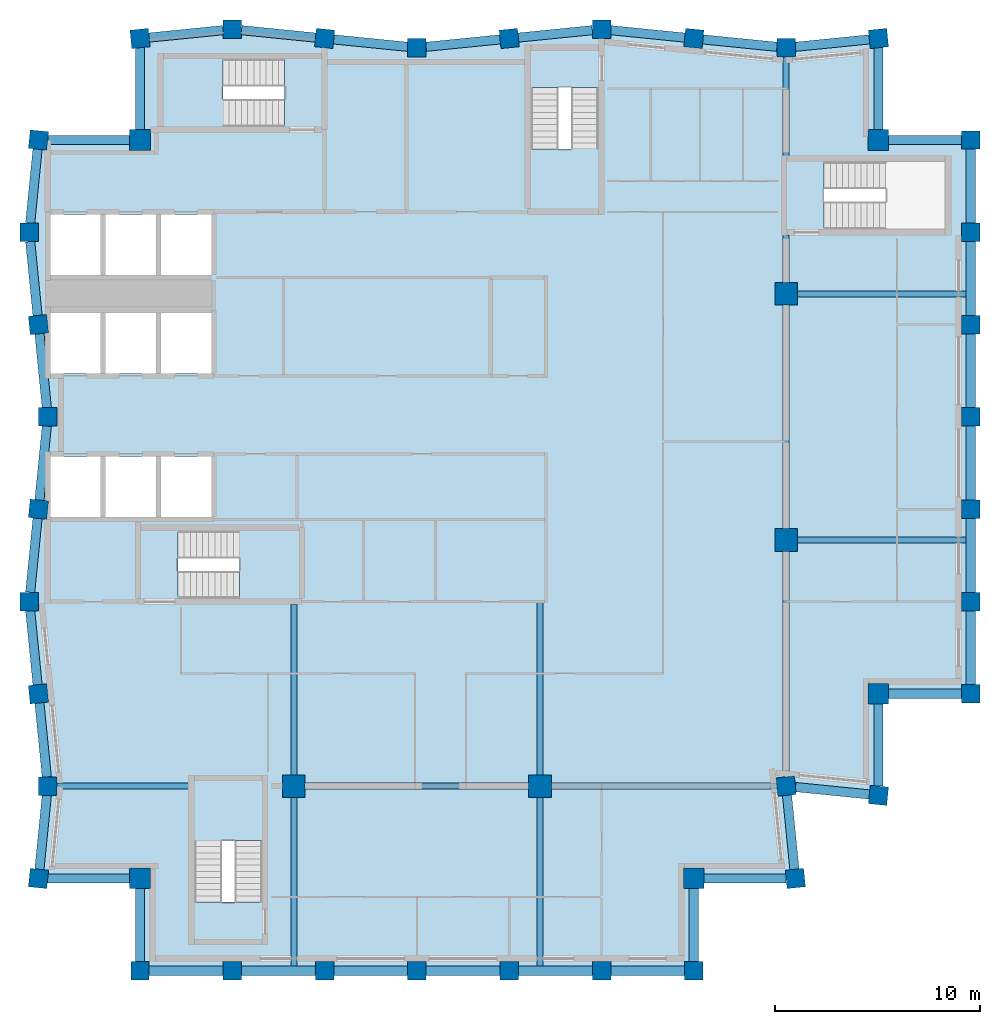
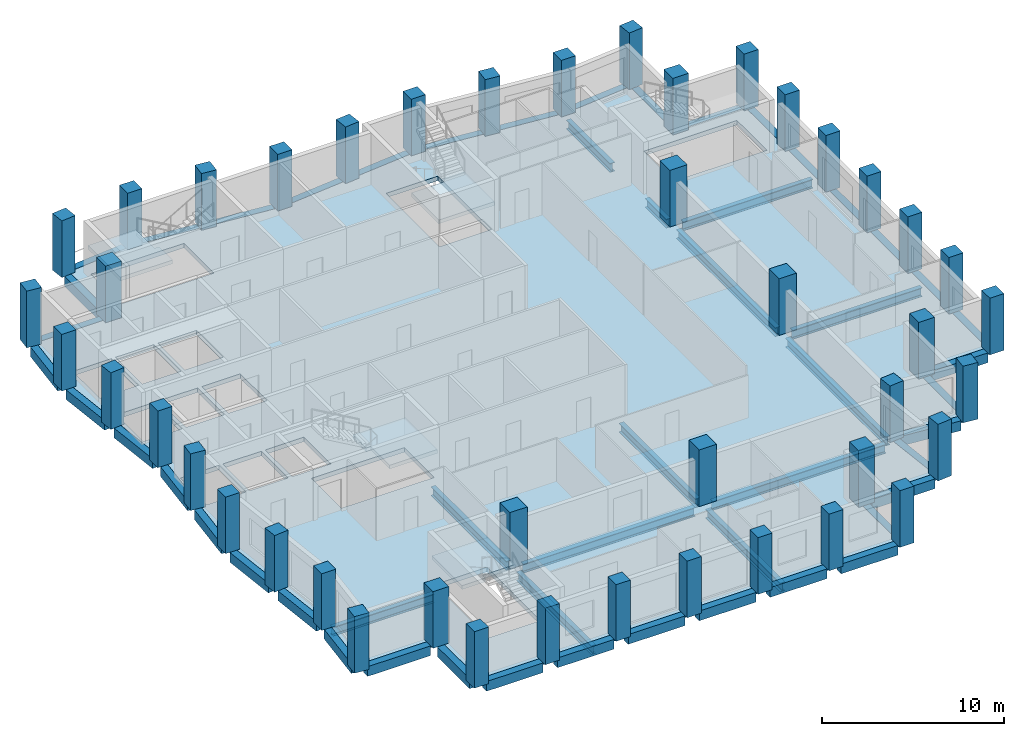
# One storey, part 1 of 7: 53 beams, 44 columns, 5 slabs, 4 elements without a shape of their own.
"""IFC4 building model written with IfcOpenShell, lengths in metres."""

from ifc_helpers import new_model, si_unit, direction, frame, origin, origin_2d, place, context, subcontext, project, spatial, polyline, rectangle, i_section, outline, extrude, material, layer, layer_set, material_profile, profile_set, type_object, element, aggregate, save


model = new_model("IFC4")

# Units and contexts
model_context = context("Model", 3, precision=1e-05, world=origin(), true_north=direction((0.0, 1.0)))
body_context = subcontext(model_context, "Body", "Model", "MODEL_VIEW")
ifc_project = project(units=[si_unit("LENGTHUNIT", "METRE"), si_unit("AREAUNIT", "SQUARE_METRE"), si_unit("VOLUMEUNIT", "CUBIC_METRE"), si_unit("PLANEANGLEUNIT", "RADIAN"), si_unit("MASSUNIT", "GRAM", prefix="KILO")], contexts=[model_context])

# Site, building, storey
site_placement = place(None, origin())
site = spatial("IfcSite", under=ifc_project, at=site_placement, CompositionType="ELEMENT")
building_placement = place(site_placement, origin())
building = spatial("IfcBuilding", under=site, at=building_placement, Name="Brondeck Convention Tower", CompositionType="ELEMENT")
storey_placement = place(building_placement, frame((0.0, 0.0, 271.39990234375)))
storey = spatial("IfcBuildingStorey", under=building, at=storey_placement, Name="L67", CompositionType="ELEMENT", Elevation=271.39990234375)

# Columns
ifc_material_1 = material(Name="Concrete C50/60", Category="concrete")
ifc_material_profile_1 = material_profile(ifc_material_1, rectangle(XDim=1.0, YDim=1.0, at=origin_2d()), Name="Corner column 1000x1000 Concrete C50/60")
ifc_profile_set_1 = profile_set([ifc_material_profile_1], Name="Concrete C50/60")
column_type_1 = type_object("IfcColumnType", Name="Corner column 1000x1000 Concrete C50/60", PredefinedType="COLUMN", material=ifc_profile_set_1)
for number, where, z_axis, x_axis, name in (
    (1, (4.5, 22.5, 0.0), (0.0, 0.0, 1.0), (1.0, 0.0, 0.0), "STR-COL-L67-NC-SWB18"),
    (2, (31.5, 22.5, 0.0), (0.0, 0.0, 1.0), (1.0, 0.0, 0.0), "STR-COL-L67-NC-SEB18"),
    (3, (40.5, 31.5, 0.0), (0.0, 0.0, 1.0), (1.0, 0.0, 0.0), "STR-COL-L67-NC-SEA45"),
    (4, (40.5, 58.5, 0.0), (0.0, 0.0, 1.0), (1.0, 0.0, 0.0), "STR-COL-L67-NC-NEA45"),
    (5, (4.5, 58.5, 0.0), (0.0, 0.0, 1.0), (1.0, 0.0, 0.0), "STR-COL-L67-NC-NW"),
):
    element("IfcColumn", number, at=place(storey_placement, frame(where, z_axis=z_axis, x_axis=x_axis)), inside=storey, type_object=column_type_1, Name=name, PredefinedType="COLUMN", context=body_context, shape_type="SweptSolid", body=[
        extrude(rectangle(XDim=1.0, YDim=1.0, at=origin_2d()), origin(), (0.0, 0.0, 1.0), 3.800048828125),
    ])
ifc_material_profile_2 = material_profile(ifc_material_1, rectangle(XDim=1.10009765625, YDim=1.10009765625, at=origin_2d()), Name="Interior column 1100x1100 Concrete C50/60")
ifc_profile_set_2 = profile_set([ifc_material_profile_2], Name="Concrete C50/60")
column_type_2 = type_object("IfcColumnType", Name="Interior column 1100x1100 Concrete C50/60", PredefinedType="COLUMN", material=ifc_profile_set_2)
for number, where, z_axis, x_axis, name in (
    (6, (12.0, 27.0, 0.0), (0.0, 0.0, 1.0), (1.0, 0.0, 0.0), "STR-COL-L67-IC-03"),
    (7, (24.0, 27.0, 0.0), (0.0, 0.0, 1.0), (1.0, 0.0, 0.0), "STR-COL-L67-IC-06"),
    (8, (36.0, 39.0, 0.0), (0.0, 0.0, 1.0), (1.0, 0.0, 0.0), "STR-COL-L67-IC-07"),
    (9, (36.0, 51.0, 0.0), (0.0, 0.0, 1.0), (1.0, 0.0, 0.0), "STR-COL-L67-IC-08"),
):
    element("IfcColumn", number, at=place(storey_placement, frame(where, z_axis=z_axis, x_axis=x_axis)), inside=storey, type_object=column_type_2, Name=name, PredefinedType="COLUMN", context=body_context, shape_type="SweptSolid", body=[
        extrude(rectangle(XDim=1.10009765625, YDim=1.10009765625, at=origin_2d()), origin(), (0.0, 0.0, 1.0), 3.800048828125),
    ])
ifc_material_profile_3 = material_profile(ifc_material_1, rectangle(XDim=0.89990234375, YDim=0.89990234375, at=origin_2d()), Name="Perimeter pier 900x900 Concrete C50/60")
ifc_profile_set_3 = profile_set([ifc_material_profile_3], Name="Concrete C50/60")
column_type_3 = type_object("IfcColumnType", Name="Perimeter pier 900x900 Concrete C50/60", PredefinedType="COLUMN", material=ifc_profile_set_3)
for number, where, z_axis, x_axis, name in (
    (10, (4.5, 18.0, 0.0), (0.0, 0.0, 1.0), (1.0, 0.0, 0.0), "STR-COL-L67-PC-B-S18-01"),
    (11, (9.0, 18.0, 0.0), (0.0, 0.0, 1.0), (1.0, 0.0, 0.0), "STR-COL-L67-PC-B-S18-02"),
    (12, (13.5, 18.0, 0.0), (0.0, 0.0, 1.0), (1.0, 0.0, 0.0), "STR-COL-L67-PC-B-S18-03"),
    (13, (18.0, 18.0, 0.0), (0.0, 0.0, 1.0), (1.0, 0.0, 0.0), "STR-COL-L67-PC-B-S18-04"),
    (14, (22.5, 18.0, 0.0), (0.0, 0.0, 1.0), (1.0, 0.0, 0.0), "STR-COL-L67-PC-B-S18-05"),
    (15, (27.0, 18.0, 0.0), (0.0, 0.0, 1.0), (1.0, 0.0, 0.0), "STR-COL-L67-PC-B-S18-06"),
    (16, (31.5, 18.0, 0.0), (0.0, 0.0, 1.0), (1.0, 0.0, 0.0), "STR-COL-L67-PC-B-S18-07"),
    (17, (36.449951171875, 22.5, 0.0), (0.0, 0.0, 1.0), (-0.0995038382, 0.995037178292, 0.0), "STR-COL-L67-PC-B-E-01"),
    (18, (36.0, 27.0, 0.0), (0.0, 0.0, 1.0), (-0.0995038382, 0.995037178292, 0.0), "STR-COL-L67-PC-B-E-00"),
    (19, (40.5, 26.550048828125, 0.0), (0.0, 0.0, 1.0), (0.995037178292, -0.0995038382, 0.0), "STR-COL-L67-PC-A-S-01"),
    (20, (45.0, 31.5, 0.0), (0.0, 0.0, 1.0), (0.0, 1.0, 0.0), "STR-COL-L67-PC-A-E45-01"),
    (21, (45.0, 36.0, 0.0), (0.0, 0.0, 1.0), (0.0, 1.0, 0.0), "STR-COL-L67-PC-A-E45-02"),
    (22, (45.0, 40.5, 0.0), (0.0, 0.0, 1.0), (0.0, 1.0, 0.0), "STR-COL-L67-PC-A-E45-03"),
    (23, (45.0, 45.0, 0.0), (0.0, 0.0, 1.0), (0.0, 1.0, 0.0), "STR-COL-L67-PC-A-E45-04"),
    (24, (45.0, 49.5, 0.0), (0.0, 0.0, 1.0), (0.0, 1.0, 0.0), "STR-COL-L67-PC-A-E45-05"),
    (25, (45.0, 54.0, 0.0), (0.0, 0.0, 1.0), (0.0, 1.0, 0.0), "STR-COL-L67-PC-A-E45-06"),
    (26, (45.0, 58.5, 0.0), (0.0, 0.0, 1.0), (0.0, 1.0, 0.0), "STR-COL-L67-PC-A-E45-07"),
    (27, (40.5, 63.449951171875, 0.0), (0.0, 0.0, 1.0), (-0.995037178292, -0.0995038382, 0.0), "STR-COL-L67-PC-A-N-09"),
    (28, (36.0, 63.0, 0.0), (0.0, 0.0, 1.0), (-1.0, 0.0, 0.0), "STR-COL-L67-PC-A-N-08"),
    (29, (31.5, 63.449951171875, 0.0), (0.0, 0.0, 1.0), (-0.995037178292, 0.0995038382, 0.0), "STR-COL-L67-PC-A-N-07"),
    (30, (27.0, 63.89990234375, 0.0), (0.0, 0.0, 1.0), (-1.0, 0.0, 0.0), "STR-COL-L67-PC-A-N-06"),
    (31, (22.5, 63.449951171875, 0.0), (0.0, 0.0, 1.0), (-0.995037178292, -0.0995038382, 0.0), "STR-COL-L67-PC-A-N-05"),
    (32, (18.0, 63.0, 0.0), (0.0, 0.0, 1.0), (-1.0, 0.0, 0.0), "STR-COL-L67-PC-A-N-04"),
    (33, (13.5, 63.449951171875, 0.0), (0.0, 0.0, 1.0), (-0.995037178292, 0.0995038382, 0.0), "STR-COL-L67-PC-A-N-03"),
    (34, (9.0, 63.89990234375, 0.0), (0.0, 0.0, 1.0), (-1.0, 0.0, 0.0), "STR-COL-L67-PC-A-N-02"),
    (35, (4.5, 63.449951171875, 0.0), (0.0, 0.0, 1.0), (-0.995037178292, -0.0995038382, 0.0), "STR-COL-L67-PC-A-N-01"),
    (36, (-0.449951171875, 58.5, 0.0), (0.0, 0.0, 1.0), (-0.0995038382, -0.995037178292, 0.0), "STR-COL-L67-PC-B-W-01"),
    (37, (-0.89990234375, 54.0, 0.0), (0.0, 0.0, 1.0), (0.0, -1.0, 0.0), "STR-COL-L67-PC-B-W-02"),
    (38, (-0.449951171875, 49.5, 0.0), (0.0, 0.0, 1.0), (0.0995038382, -0.995037178292, 0.0), "STR-COL-L67-PC-B-W-03"),
    (39, (0.0, 45.0, 0.0), (0.0, 0.0, 1.0), (0.0, -1.0, 0.0), "STR-COL-L67-PC-B-W-04"),
    (40, (-0.449951171875, 40.5, 0.0), (0.0, 0.0, 1.0), (-0.0995038382, -0.995037178292, 0.0), "STR-COL-L67-PC-B-W-05"),
    (41, (-0.89990234375, 36.0, 0.0), (0.0, 0.0, 1.0), (0.0, -1.0, 0.0), "STR-COL-L67-PC-B-W-06"),
    (42, (-0.449951171875, 31.5, 0.0), (0.0, 0.0, 1.0), (0.0995038382, -0.995037178292, 0.0), "STR-COL-L67-PC-B-W-07"),
    (43, (0.0, 27.0, 0.0), (0.0, 0.0, 1.0), (0.0, -1.0, 0.0), "STR-COL-L67-PC-B-W-08"),
    (44, (-0.449951171875, 22.5, 0.0), (0.0, 0.0, 1.0), (-0.0995038382, -0.995037178292, 0.0), "STR-COL-L67-PC-B-W-09"),
):
    element("IfcColumn", number, at=place(storey_placement, frame(where, z_axis=z_axis, x_axis=x_axis)), inside=storey, type_object=column_type_3, Name=name, PredefinedType="COLUMN", context=body_context, shape_type="SweptSolid", body=[
        extrude(rectangle(XDim=0.89990234375, YDim=0.89990234375, at=origin_2d()), origin(), (0.0, 0.0, 1.0), 3.800048828125),
    ])

# Beams
ifc_material_2 = material(Name="Steel S355", Category="steel")
ifc_material_profile_4 = material_profile(ifc_material_2, i_section(OverallWidth=0.300048828125, OverallDepth=0.60009765625, WebThickness=0.015380859375, FlangeThickness=0.030029296875, FilletRadius=0.027099609375, at=origin_2d()), Name="HEB 600")
ifc_profile_set_4 = profile_set([ifc_material_profile_4], Name="Steel S355")
beam_type_1 = type_object("IfcBeamType", Name="Girder HEB 600", PredefinedType="BEAM", material=ifc_profile_set_4)
for number, where, z_axis, x_axis, name in (
    (45, (36.550048828125, 39.0, -0.599853515625), (1.0, 0.0, 0.0), (0.0, 1.0, 0.0), "STR-GR-L67-001"),
    (46, (36.550048828125, 51.0, -0.599853515625), (1.0, 0.0, 0.0), (0.0, 1.0, 0.0), "STR-GR-L67-002"),
):
    element("IfcBeam", number, at=place(storey_placement, frame(where, z_axis=z_axis, x_axis=x_axis)), inside=storey, type_object=beam_type_1, Name=name, PredefinedType="BEAM", context=body_context, shape_type="SweptSolid", body=[
        extrude(i_section(OverallWidth=0.300048828125, OverallDepth=0.60009765625, WebThickness=0.015380859375, FlangeThickness=0.030029296875, FilletRadius=0.027099609375, at=origin_2d()), origin(), (0.0, 0.0, 1.0), 8.224853515625),
    ])
beam_1_placement = place(storey_placement, frame((36.0, 27.4521484375, -0.599853515625), z_axis=(0.0, 1.0, 0.0), x_axis=(-1.0, 0.0, 0.0)))
element("IfcBeam", 47, at=beam_1_placement, inside=storey, type_object=beam_type_1, Name="STR-GR-L67-003", PredefinedType="BEAM", context=body_context, shape_type="SweptSolid", body=[
    extrude(i_section(OverallWidth=0.300048828125, OverallDepth=0.60009765625, WebThickness=0.015380859375, FlangeThickness=0.030029296875, FilletRadius=0.027099609375, at=origin_2d()), origin(), (0.0, 0.0, 1.0), 10.997802734375),
])
beam_2_placement = place(storey_placement, frame((36.0, 39.550048828125, -0.599853515625), z_axis=(0.0, 1.0, 0.0), x_axis=(-1.0, 0.0, 0.0)))
element("IfcBeam", 48, at=beam_2_placement, inside=storey, type_object=beam_type_1, Name="STR-GR-L67-004", PredefinedType="BEAM", context=body_context, shape_type="SweptSolid", body=[
    extrude(i_section(OverallWidth=0.300048828125, OverallDepth=0.60009765625, WebThickness=0.015380859375, FlangeThickness=0.030029296875, FilletRadius=0.027099609375, at=origin_2d()), origin(), (0.0, 0.0, 1.0), 10.89990234375),
])
beam_3_placement = place(storey_placement, frame((36.0, 51.550048828125, -0.599853515625), z_axis=(0.0, 1.0, 0.0), x_axis=(-1.0, 0.0, 0.0)))
element("IfcBeam", 49, at=beam_3_placement, inside=storey, type_object=beam_type_1, Name="STR-GR-L67-005", PredefinedType="BEAM", context=body_context, shape_type="SweptSolid", body=[
    extrude(i_section(OverallWidth=0.300048828125, OverallDepth=0.60009765625, WebThickness=0.015380859375, FlangeThickness=0.030029296875, FilletRadius=0.027099609375, at=origin_2d()), origin(), (0.0, 0.0, 1.0), 2.329833984375),
])
beam_4_placement = place(storey_placement, frame((36.0, 57.719970703125, -0.599853515625), z_axis=(0.0, 1.0, 0.0), x_axis=(-1.0, 0.0, 0.0)))
element("IfcBeam", 50, at=beam_4_placement, inside=storey, type_object=beam_type_1, Name="STR-GR-L67-006", PredefinedType="BEAM", context=body_context, shape_type="SweptSolid", body=[
    extrude(i_section(OverallWidth=0.300048828125, OverallDepth=0.60009765625, WebThickness=0.015380859375, FlangeThickness=0.030029296875, FilletRadius=0.027099609375, at=origin_2d()), origin(), (0.0, 0.0, 1.0), 4.830078125),
])
beam_5_placement = place(storey_placement, frame((12.0, 35.85009765625, -0.599853515625), z_axis=(0.0, -1.0, 0.0), x_axis=(1.0, 0.0, 0.0)))
element("IfcBeam", 51, at=beam_5_placement, inside=storey, type_object=beam_type_1, Name="STR-GR-L67-007", PredefinedType="BEAM", context=body_context, shape_type="SweptSolid", body=[
    extrude(i_section(OverallWidth=0.300048828125, OverallDepth=0.60009765625, WebThickness=0.015380859375, FlangeThickness=0.030029296875, FilletRadius=0.027099609375, at=origin_2d()), origin(), (0.0, 0.0, 1.0), 8.300048828125),
])
beam_6_placement = place(storey_placement, frame((12.0, 26.449951171875, -0.599853515625), z_axis=(0.0, -1.0, 0.0), x_axis=(1.0, 0.0, 0.0)))
element("IfcBeam", 52, at=beam_6_placement, inside=storey, type_object=beam_type_1, Name="STR-GR-L67-008", PredefinedType="BEAM", context=body_context, shape_type="SweptSolid", body=[
    extrude(i_section(OverallWidth=0.300048828125, OverallDepth=0.60009765625, WebThickness=0.015380859375, FlangeThickness=0.030029296875, FilletRadius=0.027099609375, at=origin_2d()), origin(), (0.0, 0.0, 1.0), 8.224853515625),
])
beam_7_placement = place(storey_placement, frame((24.0, 35.955078125, -0.599853515625), z_axis=(0.0, -1.0, 0.0), x_axis=(1.0, 0.0, 0.0)))
element("IfcBeam", 53, at=beam_7_placement, inside=storey, type_object=beam_type_1, Name="STR-GR-L67-009", PredefinedType="BEAM", context=body_context, shape_type="SweptSolid", body=[
    extrude(i_section(OverallWidth=0.300048828125, OverallDepth=0.60009765625, WebThickness=0.015380859375, FlangeThickness=0.030029296875, FilletRadius=0.027099609375, at=origin_2d()), origin(), (0.0, 0.0, 1.0), 8.405029296875),
])
beam_8_placement = place(storey_placement, frame((24.0, 26.449951171875, -0.599853515625), z_axis=(0.0, -1.0, 0.0), x_axis=(1.0, 0.0, 0.0)))
element("IfcBeam", 54, at=beam_8_placement, inside=storey, type_object=beam_type_1, Name="STR-GR-L67-010", PredefinedType="BEAM", context=body_context, shape_type="SweptSolid", body=[
    extrude(i_section(OverallWidth=0.300048828125, OverallDepth=0.60009765625, WebThickness=0.015380859375, FlangeThickness=0.030029296875, FilletRadius=0.027099609375, at=origin_2d()), origin(), (0.0, 0.0, 1.0), 8.224853515625),
])
beam_9_placement = place(storey_placement, frame((0.449951171875, 27.0, -0.599853515625), z_axis=(1.0, 0.0, 0.0), x_axis=(0.0, 1.0, 0.0)))
element("IfcBeam", 55, at=beam_9_placement, inside=storey, type_object=beam_type_1, Name="STR-GR-L67-011", PredefinedType="BEAM", context=body_context, shape_type="SweptSolid", body=[
    extrude(i_section(OverallWidth=0.300048828125, OverallDepth=0.60009765625, WebThickness=0.015380859375, FlangeThickness=0.030029296875, FilletRadius=0.027099609375, at=origin_2d()), origin(), (0.0, 0.0, 1.0), 6.429931640625),
])
beam_10_placement = place(storey_placement, frame((12.550048828125, 27.0, -0.599853515625), z_axis=(1.0, 0.0, 0.0), x_axis=(0.0, 1.0, 0.0)))
element("IfcBeam", 56, at=beam_10_placement, inside=storey, type_object=beam_type_1, Name="STR-GR-L67-012", PredefinedType="BEAM", context=body_context, shape_type="SweptSolid", body=[
    extrude(i_section(OverallWidth=0.300048828125, OverallDepth=0.60009765625, WebThickness=0.015380859375, FlangeThickness=0.030029296875, FilletRadius=0.027099609375, at=origin_2d()), origin(), (0.0, 0.0, 1.0), 10.89990234375),
])
beam_11_placement = place(storey_placement, frame((24.550048828125, 27.0, -0.599853515625), z_axis=(1.0, 0.0, 0.0), x_axis=(0.0, 1.0, 0.0)))
element("IfcBeam", 57, at=beam_11_placement, inside=storey, type_object=beam_type_1, Name="STR-GR-L67-013", PredefinedType="BEAM", context=body_context, shape_type="SweptSolid", body=[
    extrude(i_section(OverallWidth=0.300048828125, OverallDepth=0.60009765625, WebThickness=0.015380859375, FlangeThickness=0.030029296875, FilletRadius=0.027099609375, at=origin_2d()), origin(), (0.0, 0.0, 1.0), 10.997802734375),
])
ifc_material_profile_5 = material_profile(ifc_material_1, rectangle(XDim=0.449951171875, YDim=0.64990234375, at=origin_2d()), Name="Precast spandrel 450x650 Concrete C50/60")
ifc_profile_set_5 = profile_set([ifc_material_profile_5], Name="Concrete C50/60")
beam_type_2 = type_object("IfcBeamType", Name="Precast spandrel 450x650 Concrete C50/60", PredefinedType="SPANDREL", material=ifc_profile_set_5)
for number, where, z_axis, x_axis, name in (
    (58, (4.949951171875, 18.0, -0.324951171875), (1.0, 0.0, 0.0), (0.0, 1.0, 0.0), "STR-SP-L67-001"),
    (59, (9.449951171875, 18.0, -0.324951171875), (1.0, 0.0, 0.0), (0.0, 1.0, 0.0), "STR-SP-L67-002"),
    (60, (13.949951171875, 18.0, -0.324951171875), (1.0, 0.0, 0.0), (0.0, 1.0, 0.0), "STR-SP-L67-003"),
    (61, (18.449951171875, 18.0, -0.324951171875), (1.0, 0.0, 0.0), (0.0, 1.0, 0.0), "STR-SP-L67-004"),
    (62, (22.949951171875, 18.0, -0.324951171875), (1.0, 0.0, 0.0), (0.0, 1.0, 0.0), "STR-SP-L67-005"),
    (63, (27.449951171875, 18.0, -0.324951171875), (1.0, 0.0, 0.0), (0.0, 1.0, 0.0), "STR-SP-L67-006"),
):
    element("IfcBeam", number, at=place(storey_placement, frame(where, z_axis=z_axis, x_axis=x_axis)), inside=storey, type_object=beam_type_2, Name=name, PredefinedType="SPANDREL", context=body_context, shape_type="SweptSolid", body=[
        extrude(rectangle(XDim=0.449951171875, YDim=0.64990234375, at=origin_2d()), origin(), (0.0, 0.0, 1.0), 3.60009765625),
    ])
beam_12_placement = place(storey_placement, frame((31.5, 18.449951171875, -0.324951171875), z_axis=(0.0, 1.0, 0.0), x_axis=(-1.0, 0.0, 0.0)))
element("IfcBeam", 64, at=beam_12_placement, inside=storey, type_object=beam_type_2, Name="STR-SP-L67-007", PredefinedType="SPANDREL", context=body_context, shape_type="SweptSolid", body=[
    extrude(rectangle(XDim=0.449951171875, YDim=0.64990234375, at=origin_2d()), origin(), (0.0, 0.0, 1.0), 3.550048828125),
])
beam_13_placement = place(storey_placement, frame((32.0, 22.5, -0.324951171875), z_axis=(1.0, 0.0, 0.0), x_axis=(0.0, 1.0, 0.0)))
element("IfcBeam", 65, at=beam_13_placement, inside=storey, type_object=beam_type_2, Name="STR-SP-L67-008", PredefinedType="SPANDREL", context=body_context, shape_type="SweptSolid", body=[
    extrude(rectangle(XDim=0.449951171875, YDim=0.64990234375, at=origin_2d()), origin(), (0.0, 0.0, 1.0), 3.997802734375),
])
beam_14_placement = place(storey_placement, frame((36.4052734375, 22.94775390625, -0.324951171875), z_axis=(-0.099543756114, 0.995033185687, 0.0), x_axis=(-0.995033185687, -0.099543756114, 0.0)))
element("IfcBeam", 66, at=beam_14_placement, inside=storey, type_object=beam_type_2, Name="STR-SP-L67-009", PredefinedType="SPANDREL", context=body_context, shape_type="SweptSolid", body=[
    extrude(rectangle(XDim=0.449951171875, YDim=0.64990234375, at=origin_2d()), origin(), (0.0, 0.0, 1.0), 3.62255859375),
])
beam_15_placement = place(storey_placement, frame((36.456787109375, 26.954345703125, -0.324951171875), z_axis=(0.995035183115, -0.099523787922, 0.0), x_axis=(0.099523787922, 0.995035183115, 0.0)))
element("IfcBeam", 67, at=beam_15_placement, inside=storey, type_object=beam_type_2, Name="STR-SP-L67-010", PredefinedType="SPANDREL", context=body_context, shape_type="SweptSolid", body=[
    extrude(rectangle(XDim=0.449951171875, YDim=0.64990234375, at=origin_2d()), origin(), (0.0, 0.0, 1.0), 3.61328125),
])
beam_16_placement = place(storey_placement, frame((40.5, 27.002197265625, -0.324951171875), z_axis=(0.0, 1.0, 0.0), x_axis=(-1.0, 0.0, 0.0)))
element("IfcBeam", 68, at=beam_16_placement, inside=storey, type_object=beam_type_2, Name="STR-SP-L67-011", PredefinedType="SPANDREL", context=body_context, shape_type="SweptSolid", body=[
    extrude(rectangle(XDim=0.449951171875, YDim=0.64990234375, at=origin_2d()), origin(), (0.0, 0.0, 1.0), 3.997802734375),
])
beam_17_placement = place(storey_placement, frame((41.0, 31.5, -0.324951171875), z_axis=(1.0, 0.0, 0.0), x_axis=(0.0, 1.0, 0.0)))
element("IfcBeam", 69, at=beam_17_placement, inside=storey, type_object=beam_type_2, Name="STR-SP-L67-012", PredefinedType="SPANDREL", context=body_context, shape_type="SweptSolid", body=[
    extrude(rectangle(XDim=0.449951171875, YDim=0.64990234375, at=origin_2d()), origin(), (0.0, 0.0, 1.0), 3.550048828125),
])
for number, where, z_axis, x_axis, name in (
    (70, (45.0, 31.949951171875, -0.324951171875), (0.0, 1.0, 0.0), (-1.0, 0.0, 0.0), "STR-SP-L67-013"),
    (71, (45.0, 36.449951171875, -0.324951171875), (0.0, 1.0, 0.0), (-1.0, 0.0, 0.0), "STR-SP-L67-014"),
    (72, (45.0, 40.949951171875, -0.324951171875), (0.0, 1.0, 0.0), (-1.0, 0.0, 0.0), "STR-SP-L67-015"),
    (73, (45.0, 45.449951171875, -0.324951171875), (0.0, 1.0, 0.0), (-1.0, 0.0, 0.0), "STR-SP-L67-016"),
    (74, (45.0, 49.949951171875, -0.324951171875), (0.0, 1.0, 0.0), (-1.0, 0.0, 0.0), "STR-SP-L67-017"),
    (75, (45.0, 54.449951171875, -0.324951171875), (0.0, 1.0, 0.0), (-1.0, 0.0, 0.0), "STR-SP-L67-018"),
):
    element("IfcBeam", number, at=place(storey_placement, frame(where, z_axis=z_axis, x_axis=x_axis)), inside=storey, type_object=beam_type_2, Name=name, PredefinedType="SPANDREL", context=body_context, shape_type="SweptSolid", body=[
        extrude(rectangle(XDim=0.449951171875, YDim=0.64990234375, at=origin_2d()), origin(), (0.0, 0.0, 1.0), 3.60009765625),
    ])
beam_18_placement = place(storey_placement, frame((44.550048828125, 58.5, -0.324951171875), z_axis=(-1.0, 0.0, 0.0), x_axis=(0.0, -1.0, 0.0)))
element("IfcBeam", 76, at=beam_18_placement, inside=storey, type_object=beam_type_2, Name="STR-SP-L67-019", PredefinedType="SPANDREL", context=body_context, shape_type="SweptSolid", body=[
    extrude(rectangle(XDim=0.449951171875, YDim=0.64990234375, at=origin_2d()), origin(), (0.0, 0.0, 1.0), 3.550048828125),
])
beam_19_placement = place(storey_placement, frame((40.5, 59.0, -0.324951171875), z_axis=(0.0, 1.0, 0.0), x_axis=(-1.0, 0.0, 0.0)))
element("IfcBeam", 77, at=beam_19_placement, inside=storey, type_object=beam_type_2, Name="STR-SP-L67-020", PredefinedType="SPANDREL", context=body_context, shape_type="SweptSolid", body=[
    extrude(rectangle(XDim=0.449951171875, YDim=0.64990234375, at=origin_2d()), origin(), (0.0, 0.0, 1.0), 3.997802734375),
])
for number, where, z_axis, x_axis, name in (
    (78, (40.05224609375, 63.4052734375, -0.324951171875), (-0.995033851182, -0.099537103649, 0.0), (0.099537103649, -0.995033851182, 0.0), "STR-SP-L67-021"),
    (79, (35.550048828125, 63.044921875, -0.324951171875), (-0.995033851182, 0.099537103649, 0.0), (-0.099537103649, -0.995033851182, 0.0), "STR-SP-L67-022"),
    (80, (31.05224609375, 63.494873046875, -0.324951171875), (-0.995040528141, 0.099470334057, 0.0), (-0.099470334057, -0.995040528141, 0.0), "STR-SP-L67-023"),
    (81, (26.550048828125, 63.85498046875, -0.324951171875), (-0.995040528141, -0.099470334057, 0.0), (0.099470334057, -0.995040528141, 0.0), "STR-SP-L67-024"),
    (82, (22.05224609375, 63.4052734375, -0.324951171875), (-0.995033851182, -0.099537103649, 0.0), (0.099537103649, -0.995033851182, 0.0), "STR-SP-L67-025"),
    (83, (17.550048828125, 63.044921875, -0.324951171875), (-0.995033851182, 0.099537103649, 0.0), (-0.099537103649, -0.995033851182, 0.0), "STR-SP-L67-026"),
    (84, (13.05224609375, 63.494873046875, -0.324951171875), (-0.995040528141, 0.099470334057, 0.0), (-0.099470334057, -0.995040528141, 0.0), "STR-SP-L67-027"),
    (85, (8.550048828125, 63.85498046875, -0.324951171875), (-0.995040528141, -0.099470334057, 0.0), (0.099470334057, -0.995040528141, 0.0), "STR-SP-L67-028"),
):
    element("IfcBeam", number, at=place(storey_placement, frame(where, z_axis=z_axis, x_axis=x_axis)), inside=storey, type_object=beam_type_2, Name=name, PredefinedType="SPANDREL", context=body_context, shape_type="SweptSolid", body=[
        extrude(rectangle(XDim=0.449951171875, YDim=0.64990234375, at=origin_2d()), origin(), (0.0, 0.0, 1.0), 3.620361328125),
    ])
for number, where, z_axis, x_axis, name in (
    (86, (4.5, 62.997802734375, -0.324951171875), (0.0, -1.0, 0.0), (1.0, 0.0, 0.0), "STR-SP-L67-029"),
    (87, (4.0, 58.5, -0.324951171875), (-1.0, 0.0, 0.0), (0.0, -1.0, 0.0), "STR-SP-L67-030"),
):
    element("IfcBeam", number, at=place(storey_placement, frame(where, z_axis=z_axis, x_axis=x_axis)), inside=storey, type_object=beam_type_2, Name=name, PredefinedType="SPANDREL", context=body_context, shape_type="SweptSolid", body=[
        extrude(rectangle(XDim=0.449951171875, YDim=0.64990234375, at=origin_2d()), origin(), (0.0, 0.0, 1.0), 3.997802734375),
    ])
for number, where, z_axis, x_axis, name in (
    (88, (-0.494873046875, 58.05224609375, -0.324951171875), (-0.099470334057, -0.995040528141, 0.0), (0.995040528141, -0.099470334057, 0.0), "STR-SP-L67-031"),
    (89, (-0.85498046875, 53.550048828125, -0.324951171875), (0.099470334057, -0.995040528141, 0.0), (0.995040528141, 0.099470334057, 0.0), "STR-SP-L67-032"),
    (90, (-0.4052734375, 49.05224609375, -0.324951171875), (0.099537103649, -0.995033851182, 0.0), (0.995033851182, 0.099537103649, 0.0), "STR-SP-L67-033"),
    (91, (-0.044921875, 44.550048828125, -0.324951171875), (-0.099537103649, -0.995033851182, 0.0), (0.995033851182, -0.099537103649, 0.0), "STR-SP-L67-034"),
    (92, (-0.494873046875, 40.05224609375, -0.324951171875), (-0.099470334057, -0.995040528141, 0.0), (0.995040528141, -0.099470334057, 0.0), "STR-SP-L67-035"),
    (93, (-0.85498046875, 35.550048828125, -0.324951171875), (0.099470334057, -0.995040528141, 0.0), (0.995040528141, 0.099470334057, 0.0), "STR-SP-L67-036"),
    (94, (-0.4052734375, 31.05224609375, -0.324951171875), (0.099537103649, -0.995033851182, 0.0), (0.995033851182, 0.099537103649, 0.0), "STR-SP-L67-037"),
    (95, (-0.044921875, 26.550048828125, -0.324951171875), (-0.099537103649, -0.995033851182, 0.0), (0.995033851182, -0.099537103649, 0.0), "STR-SP-L67-038"),
):
    element("IfcBeam", number, at=place(storey_placement, frame(where, z_axis=z_axis, x_axis=x_axis)), inside=storey, type_object=beam_type_2, Name=name, PredefinedType="SPANDREL", context=body_context, shape_type="SweptSolid", body=[
        extrude(rectangle(XDim=0.449951171875, YDim=0.64990234375, at=origin_2d()), origin(), (0.0, 0.0, 1.0), 3.620361328125),
    ])
beam_20_placement = place(storey_placement, frame((0.002197265625, 22.5, -0.324951171875), z_axis=(1.0, 0.0, 0.0), x_axis=(0.0, 1.0, 0.0)))
element("IfcBeam", 96, at=beam_20_placement, inside=storey, type_object=beam_type_2, Name="STR-SP-L67-039", PredefinedType="SPANDREL", context=body_context, shape_type="SweptSolid", body=[
    extrude(rectangle(XDim=0.449951171875, YDim=0.64990234375, at=origin_2d()), origin(), (0.0, 0.0, 1.0), 3.997802734375),
])
beam_21_placement = place(storey_placement, frame((4.5, 22.0, -0.324951171875), z_axis=(0.0, -1.0, 0.0), x_axis=(1.0, 0.0, 0.0)))
element("IfcBeam", 97, at=beam_21_placement, inside=storey, type_object=beam_type_2, Name="STR-SP-L67-040", PredefinedType="SPANDREL", context=body_context, shape_type="SweptSolid", body=[
    extrude(rectangle(XDim=0.449951171875, YDim=0.64990234375, at=origin_2d()), origin(), (0.0, 0.0, 1.0), 3.550048828125),
])

# Slab
ifc_material_3 = material(Name="Concrete C35/45", Category="concrete")
ifc_layer_1 = layer(ifc_material_3, 0.300048828125)
ifc_layer_set_1 = layer_set([ifc_layer_1], Name="Composite floor slab 300")
slab_type_1 = type_object("IfcSlabType", Name="Composite floor slab 300", PredefinedType="FLOOR", material=ifc_layer_set_1)
slab_1_placement = place(storey_placement, frame((0.0, 0.0, -0.2998046875)))
element("IfcSlab", 98, at=slab_1_placement, inside=storey, type_object=slab_type_1, Name="STR-SL-L67", PredefinedType="FLOOR", context=body_context, shape_type="SweptSolid", body=[
    extrude(outline(polyline([(4.5, 22.5), (-0.449951171875, 22.5), (0.0, 27.0), (-0.89990234375, 36.0), (0.0, 45.0), (-0.89990234375, 54.0), (-0.449951171875, 58.5), (4.5, 58.5), (4.5, 63.449951171875), (9.0, 63.89990234375), (18.0, 63.0), (27.0, 63.89990234375), (36.0, 63.0), (40.5, 63.449951171875), (40.5, 58.5), (45.0, 58.5), (45.0, 31.5), (40.5, 31.5), (40.5, 26.550048828125), (36.0, 27.0), (36.449951171875, 22.5), (31.5, 22.5), (31.5, 18.0), (4.5, 18.0), (4.5, 22.5)]), holes=[polyline([(2.574951171875, 43.074951171875), (0.125, 43.074951171875), (0.125, 40.125), (2.574951171875, 40.125), (2.574951171875, 43.074951171875)]), polyline([(5.27490234375, 40.125), (5.27490234375, 43.074951171875), (2.824951171875, 43.074951171875), (2.824951171875, 40.125), (5.27490234375, 40.125)]), polyline([(7.97509765625, 40.125), (7.97509765625, 43.074951171875), (5.52490234375, 43.074951171875), (5.52490234375, 40.125), (7.97509765625, 40.125)]), polyline([(2.574951171875, 47.125), (2.574951171875, 50.074951171875), (0.125, 50.074951171875), (0.125, 47.125), (2.574951171875, 47.125)]), polyline([(5.27490234375, 47.125), (5.27490234375, 50.074951171875), (2.824951171875, 50.074951171875), (2.824951171875, 47.125), (5.27490234375, 47.125)]), polyline([(2.574951171875, 51.925048828125), (2.574951171875, 54.875), (0.125, 54.875), (0.125, 51.925048828125), (2.574951171875, 51.925048828125)]), polyline([(5.27490234375, 51.925048828125), (5.27490234375, 54.875), (2.824951171875, 54.875), (2.824951171875, 51.925048828125), (5.27490234375, 51.925048828125)]), polyline([(7.152099609375, 27.248046875), (7.152099609375, 21.35205078125), (10.447998046875, 21.35205078125), (10.447998046875, 27.248046875), (7.152099609375, 27.248046875)]), polyline([(12.248046875, 36.152099609375), (12.248046875, 39.447998046875), (6.35205078125, 39.447998046875), (6.35205078125, 36.152099609375), (12.248046875, 36.152099609375)]), polyline([(7.97509765625, 47.125), (7.97509765625, 50.074951171875), (5.52490234375, 50.074951171875), (5.52490234375, 47.125), (7.97509765625, 47.125)]), polyline([(7.97509765625, 51.925048828125), (7.97509765625, 54.875), (5.52490234375, 54.875), (5.52490234375, 51.925048828125), (7.97509765625, 51.925048828125)]), polyline([(43.748046875, 54.152099609375), (43.748046875, 57.447998046875), (37.85205078125, 57.447998046875), (37.85205078125, 54.152099609375), (43.748046875, 54.152099609375)]), polyline([(23.552001953125, 55.152099609375), (26.847900390625, 55.152099609375), (26.847900390625, 61.048095703125), (23.552001953125, 61.048095703125), (23.552001953125, 55.152099609375)]), polyline([(5.652099609375, 62.447998046875), (5.652099609375, 59.152099609375), (11.548095703125, 59.152099609375), (11.548095703125, 62.447998046875), (5.652099609375, 62.447998046875)])]), origin(), (0.0, 0.0, 1.0), 0.2998046875),
])

# Stair, slab
ifc_material_4 = material(Name="Precast concrete C50/60", Category="concrete")
stair_type = type_object("IfcStairType", Name="Core stair 22 risers 172.73 mm riser 300 mm going 1350 wide", PredefinedType="HALF_TURN_STAIR", material=ifc_material_4)
stair_1_placement = place(storey_placement, origin())
stair_1 = element("IfcStair", 99, at=stair_1_placement, inside=storey, type_object=stair_type, Name="ST-1 L67 stair", PredefinedType="HALF_TURN_STAIR")
ifc_layer_2 = layer(ifc_material_4, 0.25)
ifc_layer_set_2 = layer_set([ifc_layer_2], Name="Core stair landing 250 Precast concrete C50/60")
slab_type_2 = type_object("IfcSlabType", Name="Core stair landing 250 Precast concrete C50/60", PredefinedType="LANDING", material=ifc_layer_set_2)
slab_2_placement = place(storey_placement, frame((0.0, 0.0, 1.650146484375)))
slab_2 = element("IfcSlab", 100, at=slab_2_placement, type_object=slab_type_2, Name="ST-1 landing 1", PredefinedType="LANDING", context=body_context, shape_type="SweptSolid", body=[
    extrude(outline(polyline([(9.347900390625, 37.5), (9.35009765625, 37.5), (9.35009765625, 38.10009765625), (9.050048828125, 38.10009765625), (9.050048828125, 39.570068359375), (12.3701171875, 39.570068359375), (12.3701171875, 36.030029296875), (9.347900390625, 36.030029296875), (9.347900390625, 37.5)])), origin(), (0.0, 0.0, 1.0), 0.25),
])
aggregate(stair_1, [slab_2])

stair_2_placement = place(storey_placement, origin())
stair_2 = element("IfcStair", 101, at=stair_2_placement, inside=storey, type_object=stair_type, Name="ST-2 L67 stair", PredefinedType="HALF_TURN_STAIR")
slab_3_placement = place(storey_placement, frame((0.0, 0.0, 1.650146484375)))
slab_3 = element("IfcSlab", 102, at=slab_3_placement, type_object=slab_type_2, Name="ST-2 landing 1", PredefinedType="LANDING", context=body_context, shape_type="SweptSolid", body=[
    extrude(outline(polyline([(23.429931640625, 58.052001953125), (24.89990234375, 58.052001953125), (24.89990234375, 58.050048828125), (25.5, 58.050048828125), (25.5, 58.35009765625), (26.969970703125, 58.35009765625), (26.969970703125, 55.030029296875), (23.429931640625, 55.030029296875), (23.429931640625, 58.052001953125)])), origin(), (0.0, 0.0, 1.0), 0.25),
])
aggregate(stair_2, [slab_3])

stair_3_placement = place(storey_placement, origin())
stair_3 = element("IfcStair", 103, at=stair_3_placement, inside=storey, type_object=stair_type, Name="ST-3 L67 stair", PredefinedType="HALF_TURN_STAIR")
slab_4_placement = place(storey_placement, frame((0.0, 0.0, 1.650146484375)))
slab_4 = element("IfcSlab", 104, at=slab_4_placement, type_object=slab_type_2, Name="ST-3 landing 1", PredefinedType="LANDING", context=body_context, shape_type="SweptSolid", body=[
    extrude(outline(polyline([(8.85009765625, 60.5), (8.85009765625, 59.030029296875), (5.530029296875, 59.030029296875), (5.530029296875, 62.570068359375), (8.552001953125, 62.570068359375), (8.552001953125, 61.10009765625), (8.550048828125, 61.10009765625), (8.550048828125, 60.5), (8.85009765625, 60.5)])), origin(), (0.0, 0.0, 1.0), 0.25),
])
aggregate(stair_3, [slab_4])

stair_4_placement = place(storey_placement, origin())
stair_4 = element("IfcStair", 105, at=stair_4_placement, inside=storey, type_object=stair_type, Name="ST-BE L67 stair", PredefinedType="HALF_TURN_STAIR")
slab_5_placement = place(storey_placement, frame((0.0, 0.0, 1.650146484375)))
slab_5 = element("IfcSlab", 106, at=slab_5_placement, type_object=slab_type_2, Name="ST-BE landing 1", PredefinedType="LANDING", context=body_context, shape_type="SweptSolid", body=[
    extrude(outline(polyline([(7.030029296875, 24.050048828125), (7.030029296875, 27.3701171875), (10.570068359375, 27.3701171875), (10.570068359375, 24.347900390625), (9.10009765625, 24.347900390625), (9.10009765625, 24.35009765625), (8.5, 24.35009765625), (8.5, 24.050048828125), (7.030029296875, 24.050048828125)])), origin(), (0.0, 0.0, 1.0), 0.25),
])
aggregate(stair_4, [slab_5])

save(model, "model.ifc")
